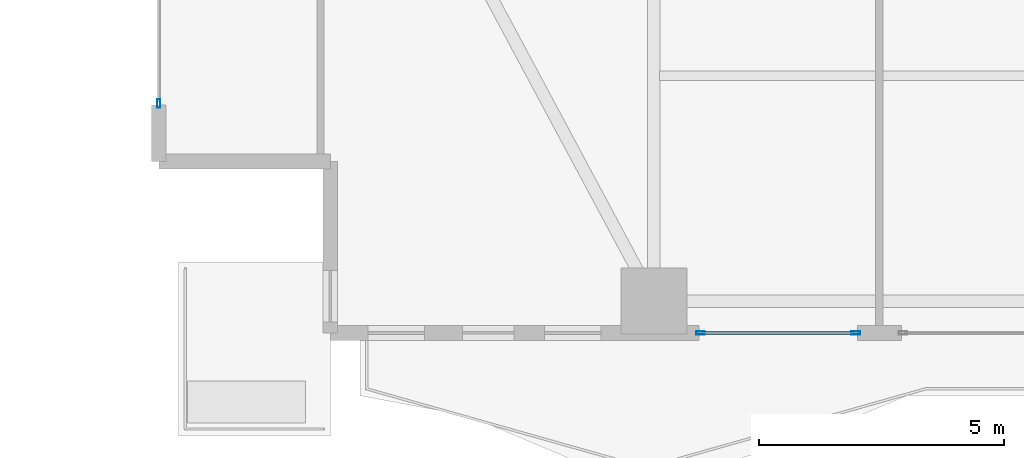
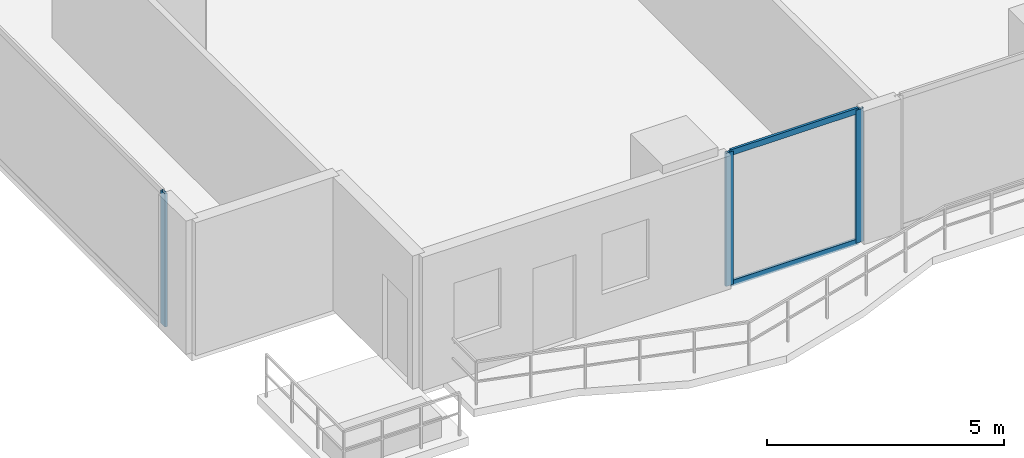
# One storey, part 2 of 27: 5 members, 2 elements without a shape of their own.
"""IFC4 building model written with IfcOpenShell, lengths in metres."""

from ifc_helpers import new_model, si_unit, direction, frame, origin, origin_2d, place, context, subcontext, project, spatial, hollow_rectangle, extrude, material, layer, layer_set, material_profile, profile_set, type_object, element, aggregate, save


model = new_model("IFC4")

# Units and contexts
model_context = context("Model", 3, precision=1e-05, world=origin(), true_north=direction((0.0, 1.0)))
body_context = subcontext(model_context, "Body", "Model", "MODEL_VIEW")
ifc_project = project(units=[si_unit("LENGTHUNIT", "METRE"), si_unit("AREAUNIT", "SQUARE_METRE"), si_unit("VOLUMEUNIT", "CUBIC_METRE"), si_unit("PLANEANGLEUNIT", "RADIAN"), si_unit("MASSUNIT", "GRAM", prefix="KILO")], contexts=[model_context])

# Site, building, storey
site_placement = place(None, origin())
site = spatial("IfcSite", under=ifc_project, at=site_placement, CompositionType="ELEMENT")
building_placement = place(site_placement, origin())
building = spatial("IfcBuilding", under=site, at=building_placement, Name="Zuhayl Quay Hotel", CompositionType="ELEMENT")
storey_placement = place(building_placement, frame((0.0, 0.0, 124.85009765625)))
storey = spatial("IfcBuildingStorey", under=building, at=storey_placement, Name="L31", CompositionType="ELEMENT", Elevation=124.85009765625)

# Curtain wall, member
ifc_material_1 = material(Name="Anodised Aluminium 6063-T6", Category="aluminium")
ifc_layer = layer(ifc_material_1, 0.179931640625, Name="Anodised Aluminium 6063-T6", Category="aluminium")
ifc_layer_set = layer_set([ifc_layer], Name="Anodised Aluminium 6063-T6")
curtain_wall_type = type_object("IfcCurtainWallType", Name="CW_SYS_Z2", PredefinedType="USERDEFINED", material=ifc_layer_set)
curtain_wall_1_placement = place(storey_placement, origin())
curtain_wall_1 = element("IfcCurtainWall", 1, at=curtain_wall_1_placement, inside=storey, type_object=curtain_wall_type, Name="L31 Curtain Wall ENV_L31_E02_CW1", ObjectType="UNITISED CURTAIN WALL", PredefinedType="USERDEFINED")
ifc_material_2 = material(Name="Black-anodised aluminium 6063-T6", Category="aluminium")
ifc_material_profile_1 = material_profile(ifc_material_2, hollow_rectangle(XDim=0.06494140625, YDim=0.179931640625, WallThickness=0.00341796875, at=origin_2d()), Name="ALU180X65")
ifc_profile_set_1 = profile_set([ifc_material_profile_1], Name="Black-anodised aluminium 6063-T6")
member_type_1 = type_object("IfcMemberType", Name="MB_CW_MUL_180", PredefinedType="MULLION", material=ifc_profile_set_1)
member_1_placement = place(storey_placement, frame((-23.89990234375, -10.717529296875, 0.0), z_axis=(0.0, 0.0, 1.0), x_axis=(-1.0, 0.0, 0.0)))
member_1 = element("IfcMember", 2, at=member_1_placement, type_object=member_type_1, Name="CW-Z2 mullion 1", PredefinedType="MULLION", context=body_context, shape_type="SweptSolid", body=[
    extrude(hollow_rectangle(XDim=0.06494140625, YDim=0.179931640625, WallThickness=0.00341796875, at=origin_2d()), origin(), (0.0, 0.0, 1.0), 3.429931640625),
])
aggregate(curtain_wall_1, [member_1])

# Curtain wall, members
curtain_wall_2_placement = place(storey_placement, origin())
curtain_wall_2 = element("IfcCurtainWall", 3, at=curtain_wall_2_placement, inside=storey, type_object=curtain_wall_type, Name="L31 Curtain Wall ENV_L31_S_CW7", ObjectType="UNITISED CURTAIN WALL", PredefinedType="USERDEFINED")
member_2_placement = place(storey_placement, frame((-9.6826171875, -15.39990234375, 0.0), z_axis=(0.0, 0.0, 1.0), x_axis=(0.0, -1.0, 0.0)))
member_2 = element("IfcMember", 4, at=member_2_placement, type_object=member_type_1, Name="CW-Z2 mullion 1", PredefinedType="MULLION", context=body_context, shape_type="SweptSolid", body=[
    extrude(hollow_rectangle(XDim=0.06494140625, YDim=0.179931640625, WallThickness=0.00341796875, at=origin_2d()), origin(), (0.0, 0.0, 1.0), 3.429931640625),
])
member_3_placement = place(storey_placement, frame((-12.847412109375, -15.39990234375, 0.0), z_axis=(0.0, 0.0, 1.0), x_axis=(0.0, -1.0, 0.0)))
member_3 = element("IfcMember", 5, at=member_3_placement, type_object=member_type_1, Name="CW-Z2 mullion 2", PredefinedType="MULLION", context=body_context, shape_type="SweptSolid", body=[
    extrude(hollow_rectangle(XDim=0.06494140625, YDim=0.179931640625, WallThickness=0.00341796875, at=origin_2d()), origin(), (0.0, 0.0, 1.0), 3.429931640625),
])
ifc_material_profile_2 = material_profile(ifc_material_2, hollow_rectangle(XDim=0.06005859375, YDim=0.14990234375, WallThickness=0.00341796875, at=origin_2d()), Name="ALU150X60")
ifc_profile_set_2 = profile_set([ifc_material_profile_2], Name="Black-anodised aluminium 6063-T6")
member_type_2 = type_object("IfcMemberType", Name="MB_CW_TRN_150", PredefinedType="USERDEFINED", material=ifc_profile_set_2)
member_4_placement = place(storey_placement, frame((-9.715087890625, -15.39990234375, 0.02978515625), z_axis=(-1.0, 0.0, 0.0), x_axis=(0.0, -1.0, 0.0)))
member_4 = element("IfcMember", 6, at=member_4_placement, type_object=member_type_2, Name="CW-Z2 transom 1.1", ObjectType="TRANSOM", PredefinedType="USERDEFINED", context=body_context, shape_type="SweptSolid", body=[
    extrude(hollow_rectangle(XDim=0.06005859375, YDim=0.14990234375, WallThickness=0.00341796875, at=origin_2d()), origin(), (0.0, 0.0, 1.0), 3.099853515625),
])
member_5_placement = place(storey_placement, frame((-9.715087890625, -15.39990234375, 3.39990234375), z_axis=(-1.0, 0.0, 0.0), x_axis=(0.0, -1.0, 0.0)))
member_5 = element("IfcMember", 7, at=member_5_placement, type_object=member_type_2, Name="CW-Z2 transom 1.2", ObjectType="TRANSOM", PredefinedType="USERDEFINED", context=body_context, shape_type="SweptSolid", body=[
    extrude(hollow_rectangle(XDim=0.06005859375, YDim=0.14990234375, WallThickness=0.00341796875, at=origin_2d()), origin(), (0.0, 0.0, 1.0), 3.099853515625),
])
aggregate(curtain_wall_2, [member_2, member_3, member_4, member_5])

save(model, "model.ifc")
